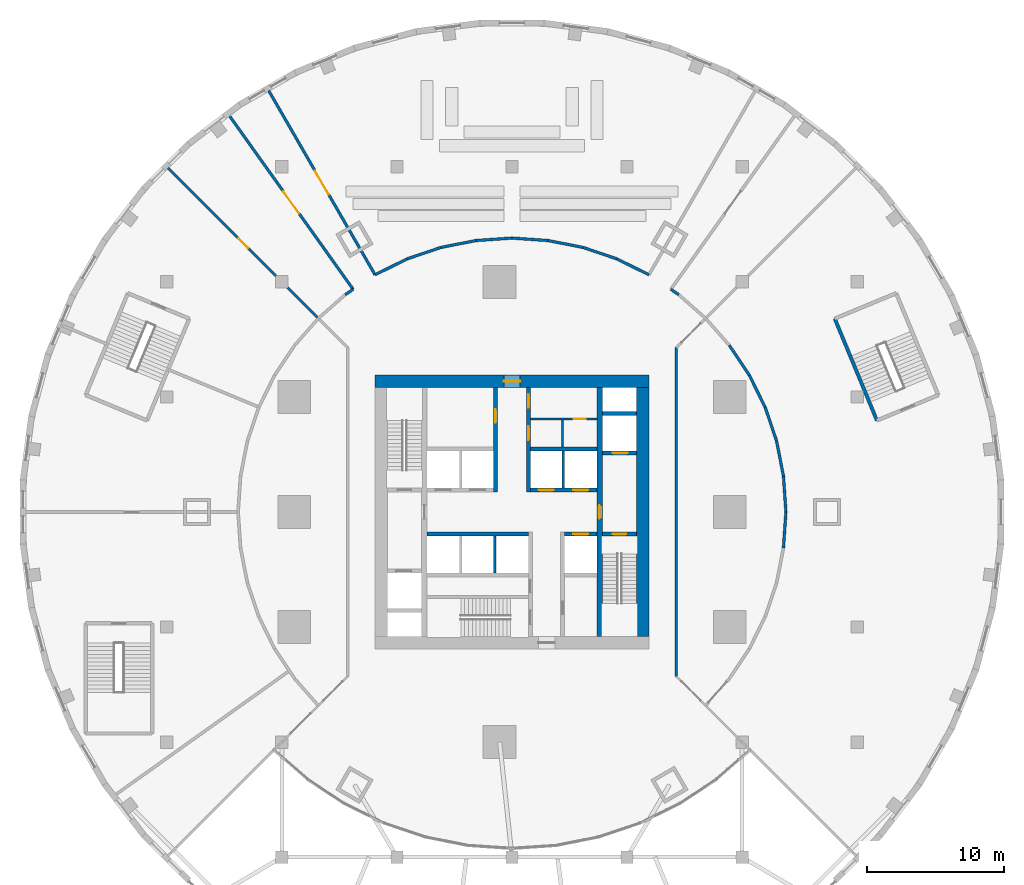
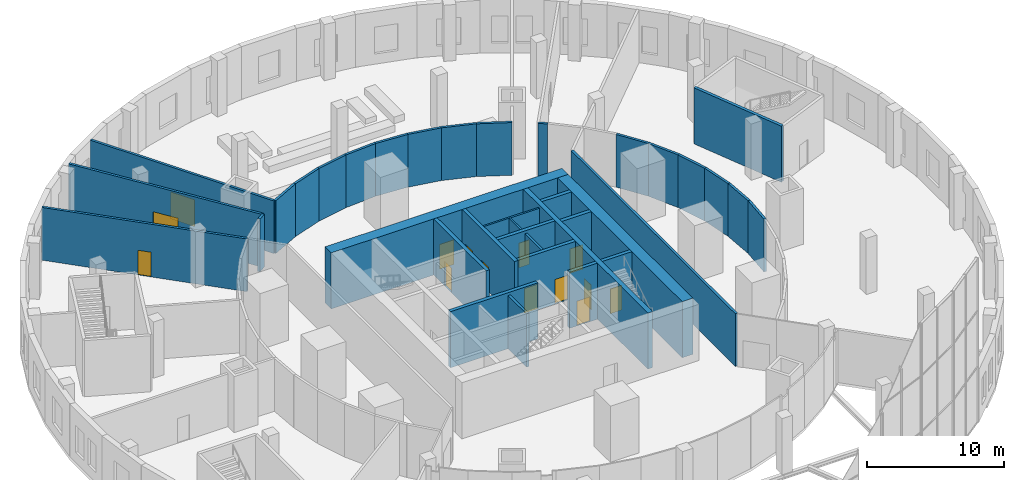
# One storey, part 10 of 17: 37 walls, 14 doors, 14 openings.
"""IFC4 building model written with IfcOpenShell, lengths in metres."""

import ifcopenshell
import ifcopenshell.guid

model = None  # the IFC model being written
_history = None  # IfcOwnerHistory: only IFC2X3 demands one
_inside = {}  # id of a spatial element -> (the spatial element, [elements in it])
_under = {}  # id of a project, library or spatial element -> (it, [spatial elements below it])
_declared = {}  # id of a project -> (the project, [libraries it declares])
_typed = {}  # id of a type object -> (the type object, [elements of that type])
_made_of = {}  # id of a material, layer set ... -> (it, [elements and type objects made of it])


def new_model(schema):
    """Start an empty IFC model of exactly this schema.

    Asked for "IFC4X3", IfcOpenShell would pick the latest addendum, in which some entities
    have other attributes; the version numbers below select the first issue.
    IFC2X3 requires an IfcOwnerHistory on every rooted entity: one is made here for all.
    """
    global model, _history
    if schema == "IFC4X3":
        model = ifcopenshell.file(schema_version=(4, 3, 0, 0))
    else:
        model = ifcopenshell.file(schema=schema)
    _inside.clear()
    _under.clear()
    _declared.clear()
    _typed.clear()
    _made_of.clear()
    _history = None
    if model.schema == "IFC2X3":
        org = make("IfcOrganization", Name="unknown")
        user = make(
            "IfcPersonAndOrganization",
            ThePerson=make("IfcPerson", FamilyName="unknown"),
            TheOrganization=org,
        )
        app = make(
            "IfcApplication",
            ApplicationDeveloper=org,
            Version="unknown",
            ApplicationFullName="unknown",
            ApplicationIdentifier="unknown",
        )
        _history = make(
            "IfcOwnerHistory",
            OwningUser=user,
            OwningApplication=app,
            ChangeAction="ADDED",
            CreationDate=0,
        )
    return model


def make(cls, **values):
    """One entity of the class cls with the attributes given. An attribute that is None is left unset."""
    return model.create_entity(
        cls, **{name: value for name, value in values.items() if value is not None}
    )


def rooted(cls, **values):
    """An entity with a GlobalId (a new one), such as an element, a storey or a relation."""
    return make(cls, GlobalId=ifcopenshell.guid.new(), OwnerHistory=_history, **values)


def si_unit(unit_type, name, prefix=None):
    """IfcSIUnit, for example si_unit("LENGTHUNIT", "METRE", prefix="MILLI")."""
    return make("IfcSIUnit", UnitType=unit_type, Prefix=prefix, Name=name)


def assignment(units):
    """IfcUnitAssignment: the units of a project."""
    return None if units is None else make("IfcUnitAssignment", Units=units)


def point(xyz):
    """IfcCartesianPoint."""
    return None if xyz is None else make("IfcCartesianPoint", Coordinates=xyz)


def direction(xyz):
    """IfcDirection."""
    return None if xyz is None else make("IfcDirection", DirectionRatios=xyz)


def frame(location, z_axis=None, x_axis=None):
    """IfcAxis2Placement3D, a coordinate frame: its origin and axes. An axis left out is left unset."""
    return make(
        "IfcAxis2Placement3D",
        Location=point(location),
        Axis=direction(z_axis),
        RefDirection=direction(x_axis),
    )


def frame_2d(location, x_axis=None):
    """IfcAxis2Placement2D, a coordinate frame in the plane: its origin and x axis."""
    return make(
        "IfcAxis2Placement2D", Location=point(location), RefDirection=direction(x_axis)
    )


def origin():
    """The frame at (0, 0, 0) with its axes left unset."""
    return frame((0.0, 0.0, 0.0))


def place(relative_to, where):
    """IfcLocalPlacement: puts the frame where relative to a parent placement (None: the world)."""
    return make(
        "IfcLocalPlacement", PlacementRelTo=relative_to, RelativePlacement=where
    )


def context(
    kind, dimensions, precision=None, world=None, true_north=None, identifier=None
):
    """IfcGeometricRepresentationContext, for example the 3D "Model" context."""
    return make(
        "IfcGeometricRepresentationContext",
        ContextIdentifier=identifier,
        ContextType=kind,
        CoordinateSpaceDimension=dimensions,
        Precision=precision,
        WorldCoordinateSystem=world,
        TrueNorth=true_north,
    )


def subcontext(parent, identifier, kind, view, scale=None):
    """IfcGeometricRepresentationSubContext, for example "Body" below "Model"."""
    return make(
        "IfcGeometricRepresentationSubContext",
        ContextIdentifier=identifier,
        ContextType=kind,
        ParentContext=parent,
        TargetScale=scale,
        TargetView=view,
    )


def project(units=None, contexts=None):
    """IfcProject with its units and contexts."""
    return rooted(
        "IfcProject",
        Name="project",
        RepresentationContexts=contexts,
        UnitsInContext=assignment(units),
    )


def spatial(cls, under=None, at=None, **own):
    """A site, building, storey or space (cls), placed at a placement, below another one or the project."""
    s = rooted(cls, ObjectPlacement=at, **own)
    if under is not None:
        _under.setdefault(under.id(), (under, []))[1].append(s)
    return s


def profile(cls, at=None, kind="AREA", **sizes):
    """A parametric profile (cls). Its sizes go by their IFC names, for example OverallWidth=200.0."""
    return make(cls, ProfileType=kind, Position=at, **sizes)


def rectangle(**sizes):
    """IfcRectangleProfileDef."""
    return profile("IfcRectangleProfileDef", **sizes)


def extrude(swept, where, along, depth):
    """IfcExtrudedAreaSolid: the profile swept, set in the frame where, extruded along a direction by depth."""
    return make(
        "IfcExtrudedAreaSolid",
        SweptArea=swept,
        Position=where,
        ExtrudedDirection=direction(along),
        Depth=depth,
    )


def shape(context_of_items, identifier, shape_type, items):
    """IfcShapeRepresentation: the items that make up one representation, for example the "Body"."""
    return make(
        "IfcShapeRepresentation",
        ContextOfItems=context_of_items,
        RepresentationIdentifier=identifier,
        RepresentationType=shape_type,
        Items=items,
    )


def material(Name=None, Category=None):
    """IfcMaterial."""
    return make("IfcMaterial", Name=Name, Category=Category)


def layer(
    of_material, thickness, ventilated=None, Name=None, Category=None, Priority=None
):
    """IfcMaterialLayer: one layer of a wall or slab, of a material (None: an air gap)."""
    return make(
        "IfcMaterialLayer",
        Material=of_material,
        LayerThickness=thickness,
        IsVentilated=ventilated,
        Name=Name,
        Category=Category,
        Priority=Priority,
    )


def layer_set(layers, Name=None):
    """IfcMaterialLayerSet."""
    return make("IfcMaterialLayerSet", MaterialLayers=layers, LayerSetName=Name)


def made_of(thing, what):
    """Note that an element or type object is made of a material, layer set ...; save() writes the relation."""
    if what is not None:
        _made_of.setdefault(what.id(), (what, []))[1].append(thing)
    return thing


def type_object(cls, material=None, **own):
    """A type object (cls), such as IfcWallType, which elements share."""
    return made_of(rooted(cls, **own), material)


def element(
    cls,
    number,
    at=None,
    inside=None,
    cuts=None,
    type_object=None,
    material=None,
    context=None,
    identifier="Body",
    shape_type=None,
    held_by="IfcProductDefinitionShape",
    body=None,
    shapes=None,
    **own,
):
    """One element of the class cls, such as IfcWall. Its Tag is "e" and its number.

    at: its placement. inside: the storey or other place that contains it. cuts: it is an
    opening in that element (IfcRelVoidsElement). A single representation is given by context,
    identifier, shape_type and body (its items); several are given by shapes. held_by: the class
    of the entity that holds the representations. save() writes the other relations.
    """
    e = rooted(cls, Tag="e%d" % number, ObjectPlacement=at, **own)
    if body is not None:
        shapes = [shape(context, identifier, shape_type, body)]
    if shapes is not None:
        e.Representation = make(held_by, Representations=shapes)
    if inside is not None:
        _inside.setdefault(inside.id(), (inside, []))[1].append(e)
    if cuts is not None:
        rooted(
            "IfcRelVoidsElement", RelatingBuildingElement=cuts, RelatedOpeningElement=e
        )
    if type_object is not None:
        _typed.setdefault(type_object.id(), (type_object, []))[1].append(e)
    return made_of(e, material)


def fill(opening, filler):
    """IfcRelFillsElement: the door or window that sits in an opening."""
    return rooted(
        "IfcRelFillsElement",
        RelatingOpeningElement=opening,
        RelatedBuildingElement=filler,
    )


def aggregate(whole, parts):
    """IfcRelAggregates: a whole, such as a stair, and the parts it consists of."""
    return rooted("IfcRelAggregates", RelatingObject=whole, RelatedObjects=parts)


def save(model, path):
    """Write the relations noted so far, then the file.

    IfcRelAggregates (storeys below a building ...), IfcRelContainedInSpatialStructure (elements
    in a storey), IfcRelDefinesByType, IfcRelAssociatesMaterial and IfcRelDeclares: one each for
    every whole, place, type object, material and project.
    """
    for whole, parts in _under.values():
        aggregate(whole, parts)
    for where, things in _inside.values():
        rooted(
            "IfcRelContainedInSpatialStructure",
            RelatedElements=things,
            RelatingStructure=where,
        )
    for kind, things in _typed.values():
        rooted("IfcRelDefinesByType", RelatedObjects=things, RelatingType=kind)
    for what, things in _made_of.values():
        rooted("IfcRelAssociatesMaterial", RelatedObjects=things, RelatingMaterial=what)
    for by, libraries in _declared.values():
        rooted("IfcRelDeclares", RelatingContext=by, RelatedDefinitions=libraries)
    model.write(path)


model = new_model("IFC4")

# Units and contexts
model_context = context("Model", 3, precision=1e-05, world=origin(), true_north=direction((0.0, 1.0)))
body_context = subcontext(model_context, "Body", "Model", "MODEL_VIEW")
ifc_project = project(units=[si_unit("LENGTHUNIT", "METRE"), si_unit("AREAUNIT", "SQUARE_METRE"), si_unit("VOLUMEUNIT", "CUBIC_METRE"), si_unit("PLANEANGLEUNIT", "RADIAN"), si_unit("MASSUNIT", "GRAM", prefix="KILO")], contexts=[model_context])

# Site, building, storey
site_placement = place(None, origin())
site = spatial("IfcSite", under=ifc_project, at=site_placement, CompositionType="ELEMENT")
building_placement = place(site_placement, origin())
building = spatial("IfcBuilding", under=site, at=building_placement, Name="Golbaran Civic Tower", CompositionType="ELEMENT")
storey_placement = place(building_placement, frame((0.0, 0.0, 6.0)))
storey = spatial("IfcBuildingStorey", under=building, at=storey_placement, Name="L01", CompositionType="ELEMENT", Elevation=6.0)

# Wall, opening, door
ifc_material_1 = material(Name="Concrete block", Category="concrete")
ifc_layer_1 = layer(ifc_material_1, 0.14990234375, Name="Concrete block")
ifc_layer_set_1 = layer_set([ifc_layer_1], Name="Concrete block")
wall_type_1 = type_object("IfcWallType", Name="BLOCKWORK PARTITION 150", PredefinedType="PARTITIONING", material=ifc_layer_set_1)
wall_1_placement = place(storey_placement, frame((1.35009765625, 6.800048828125, 0.0), z_axis=(0.0, 0.0, 1.0), x_axis=(1.0, 0.0, 0.0)))
wall_1 = element("IfcWall", 1, at=wall_1_placement, inside=storey, type_object=wall_type_1, Name="Toilet block partition TN1 L01", PredefinedType="PARTITIONING", context=body_context, shape_type="SweptSolid", body=[
    extrude(rectangle(XDim=4.849853515625, YDim=0.14990234375, at=frame_2d((2.4248046875, 0.0))), origin(), (0.0, 0.0, 1.0), 4.75),
])
opening_1_placement = place(wall_1_placement, frame((3.14990234375, 0.0, 0.0)))
opening_1 = element("IfcOpeningElement", 2, at=opening_1_placement, cuts=wall_1, Name="Opening L01.CLN", PredefinedType="OPENING", context=body_context, shape_type="SweptSolid", body=[
    extrude(rectangle(XDim=0.89990234375, YDim=2.199951171875, at=frame_2d((0.449951171875, 1.10009765625))), frame((0.0, 0.0849609375, 0.0), z_axis=(0.0, -1.0, 0.0), x_axis=(1.0, 0.0, 0.0)), (0.0, 0.0, 1.0), 0.169921875),
])
ifc_material_2 = material(Name="Timber door set in steel frame", Category="steel")
door_type_1 = type_object("IfcDoorType", Name="RISER DOOR 900x2200", OperationType="SINGLE_SWING_LEFT", PredefinedType="DOOR", material=ifc_material_2)
door_1_placement = place(opening_1_placement, origin())
door_1 = element("IfcDoor", 3, at=door_1_placement, inside=storey, type_object=door_type_1, Name="Cleaner's Store door", OperationType="SINGLE_SWING_RIGHT", OverallHeight=2.199951171875, OverallWidth=0.89990234375, PredefinedType="DOOR", context=body_context, shape_type="SweptSolid", body=[
    extrude(rectangle(XDim=0.89990234375, YDim=2.199951171875, at=frame_2d((0.449951171875, 1.10009765625))), frame((0.0, 0.02490234375, 0.0), z_axis=(0.0, -1.0, 0.0), x_axis=(1.0, 0.0, 0.0)), (0.0, 0.0, 1.0), 0.050048828125),
])
fill(opening_1, door_1)

# Wall
wall_2_placement = place(storey_placement, frame((3.699951171875, 4.75, 0.0), z_axis=(0.0, 0.0, 1.0), x_axis=(0.0, 1.0, 0.0)))
element("IfcWall", 4, at=wall_2_placement, inside=storey, type_object=wall_type_1, Name="Toilet block partition TN2 L01", PredefinedType="PARTITIONING", context=body_context, shape_type="SweptSolid", body=[
    extrude(rectangle(XDim=1.97509765625, YDim=0.14990234375, at=frame_2d((0.987548828125, 0.0))), origin(), (0.0, 0.0, 1.0), 4.75),
])

# Wall, opening, door
ifc_material_3 = material(Name="Concrete C50/60", Category="concrete")
ifc_layer_2 = layer(ifc_material_3, 0.39990234375, Name="Concrete C50/60")
ifc_layer_set_2 = layer_set([ifc_layer_2], Name="Concrete C50/60")
wall_type_2 = type_object("IfcWallType", Name="CORE WALL CONCRETE 400", PredefinedType="SOLIDWALL", material=ifc_layer_set_2)
wall_3_placement = place(storey_placement, frame((6.39990234375, 9.10009765625, 0.0), z_axis=(0.0, 0.0, 1.0), x_axis=(0.0, -1.0, 0.0)))
wall_3 = element("IfcWall", 5, at=wall_3_placement, inside=storey, type_object=wall_type_2, Name="Core wall IE L01", PredefinedType="SOLIDWALL", context=body_context, shape_type="SweptSolid", body=[
    extrude(rectangle(XDim=18.2001953125, YDim=0.39990234375, at=frame_2d((9.10009765625, 0.0))), origin(), (0.0, 0.0, 1.0), 5.0),
])
opening_2_placement = place(wall_3_placement, frame((8.60009765625, 0.0, 0.0)))
opening_2 = element("IfcOpeningElement", 6, at=opening_2_placement, cuts=wall_3, Name="Opening L01.FL2", PredefinedType="OPENING", context=body_context, shape_type="SweptSolid", body=[
    extrude(rectangle(XDim=1.0, YDim=2.199951171875, at=frame_2d((0.5, 1.10009765625))), frame((0.0, 0.2099609375, 0.0), z_axis=(0.0, -1.0, 0.0), x_axis=(1.0, 0.0, 0.0)), (0.0, 0.0, 1.0), 0.419921875),
])
door_type_2 = type_object("IfcDoorType", Name="STAIR DOOR 1000x2200", OperationType="SINGLE_SWING_LEFT", PredefinedType="DOOR", material=ifc_material_2)
door_2_placement = place(opening_2_placement, origin())
door_2 = element("IfcDoor", 7, at=door_2_placement, inside=storey, type_object=door_type_2, Name="Fire-fighting lobby FL2 door", OperationType="SINGLE_SWING_RIGHT", OverallHeight=2.199951171875, OverallWidth=1.0, PredefinedType="DOOR", context=body_context, shape_type="SweptSolid", body=[
    extrude(rectangle(XDim=1.0, YDim=2.199951171875, at=frame_2d((0.5, 1.10009765625))), frame((0.0, 0.02490234375, 0.0), z_axis=(0.0, -1.0, 0.0), x_axis=(1.0, 0.0, 0.0)), (0.0, 0.0, 1.0), 0.050048828125),
])
fill(opening_2, door_2)

ifc_layer_3 = layer(ifc_material_3, 0.89990234375, Name="Concrete C50/60")
ifc_layer_set_3 = layer_set([ifc_layer_3], Name="Concrete C50/60")
wall_type_3 = type_object("IfcWallType", Name="CORE WALL CONCRETE 900", PredefinedType="SOLIDWALL", material=ifc_layer_set_3)
wall_4_placement = place(storey_placement, frame((-10.0, 9.550048828125, 0.0), z_axis=(0.0, 0.0, 1.0), x_axis=(1.0, 0.0, 0.0)))
wall_4 = element("IfcWall", 8, at=wall_4_placement, inside=storey, type_object=wall_type_3, Name="Core wall CN L01", PredefinedType="SOLIDWALL", context=body_context, shape_type="SweptSolid", body=[
    extrude(rectangle(XDim=20.0, YDim=0.89990234375, at=frame_2d((10.0, 0.0))), origin(), (0.0, 0.0, 1.0), 5.0),
])
opening_3_placement = place(wall_4_placement, frame((9.39990234375, 0.0, 0.0)))
opening_3 = element("IfcOpeningElement", 9, at=opening_3_placement, cuts=wall_4, Name="Opening L01.CN", PredefinedType="OPENING", context=body_context, shape_type="SweptSolid", body=[
    extrude(rectangle(XDim=1.199951171875, YDim=2.199951171875, at=frame_2d((0.60009765625, 1.10009765625))), frame((0.0, 0.4599609375, 0.0), z_axis=(0.0, -1.0, 0.0), x_axis=(1.0, 0.0, 0.0)), (0.0, 0.0, 1.0), 0.919921875),
])
door_type_3 = type_object("IfcDoorType", Name="CORE DOOR 1200x2200", OperationType="DOUBLE_DOOR_SINGLE_SWING", PredefinedType="DOOR", material=ifc_material_2)
door_3_placement = place(opening_3_placement, origin())
door_3 = element("IfcDoor", 10, at=door_3_placement, inside=storey, type_object=door_type_3, Name="Core door north", OperationType="DOUBLE_DOOR_SINGLE_SWING", OverallHeight=2.199951171875, OverallWidth=1.199951171875, PredefinedType="DOOR", context=body_context, shape_type="SweptSolid", body=[
    extrude(rectangle(XDim=1.199951171875, YDim=2.199951171875, at=frame_2d((0.60009765625, 1.10009765625))), frame((0.0, 0.02490234375, 0.0), z_axis=(0.0, -1.0, 0.0), x_axis=(1.0, 0.0, 0.0)), (0.0, 0.0, 1.0), 0.050048828125),
])
fill(opening_3, door_3)

# Walls
wall_5_placement = place(storey_placement, frame((9.550048828125, -9.10009765625, 0.0), z_axis=(0.0, 0.0, 1.0), x_axis=(0.0, 1.0, 0.0)))
element("IfcWall", 11, at=wall_5_placement, inside=storey, type_object=wall_type_3, Name="Core wall CE L01", PredefinedType="SOLIDWALL", context=body_context, shape_type="SweptSolid", body=[
    extrude(rectangle(XDim=18.2001953125, YDim=0.89990234375, at=frame_2d((9.10009765625, 0.0))), origin(), (0.0, 0.0, 1.0), 5.0),
])
ifc_layer_4 = layer(ifc_material_1, 0.199951171875, Name="Concrete block")
ifc_layer_set_4 = layer_set([ifc_layer_4], Name="Concrete block")
wall_type_4 = type_object("IfcWallType", Name="LIFT SEPARATOR WALL 200", PredefinedType="SOLIDWALL", material=ifc_layer_set_4)
for number, where, z_axis, x_axis, name in (
    (12, (3.75, 1.75, 0.0), (0.0, 0.0, 1.0), (0.0, 1.0, 0.0), "Core partition SNE L01"),
    (13, (-1.25, -1.75, 0.0), (0.0, 0.0, 1.0), (0.0, -1.0, 0.0), "Core partition SSM L01"),
):
    element("IfcWall", number, at=place(storey_placement, frame(where, z_axis=z_axis, x_axis=x_axis)), inside=storey, type_object=wall_type_4, Name=name, PredefinedType="SOLIDWALL", context=body_context, shape_type="SweptSolid", body=[
        extrude(rectangle(XDim=2.699951171875, YDim=0.199951171875, at=frame_2d((1.35009765625, 0.0))), origin(), (0.0, 0.0, 1.0), 4.75),
    ])

# Wall, opening, door
ifc_material_4 = material(Name="Concrete block, plastered", Category="concrete")
ifc_layer_5 = layer(ifc_material_4, 0.199951171875, Name="Concrete block, plastered")
ifc_layer_set_5 = layer_set([ifc_layer_5], Name="Concrete block, plastered")
wall_type_5 = type_object("IfcWallType", Name="PODIUM PARTITION 200", PredefinedType="PARTITIONING", material=ifc_layer_set_5)
wall_6_placement = place(storey_placement, frame((-25.1201171875, 25.1201171875, 0.0), z_axis=(0.0, 0.0, 1.0), x_axis=(0.707106781187, -0.707106781187, 0.0)))
wall_6 = element("IfcWall", 14, at=wall_6_placement, inside=storey, type_object=wall_type_5, Name="Podium partition L01", PredefinedType="PARTITIONING", context=body_context, shape_type="SweptSolid", body=[
    extrude(rectangle(XDim=15.5283203125, YDim=0.199951171875, at=frame_2d((7.76416015625, 0.0))), origin(), (0.0, 0.0, 1.0), 4.699951171875),
])
opening_4_placement = place(wall_6_placement, frame((7.263916015625, 0.0, 0.0)))
opening_4 = element("IfcOpeningElement", 15, at=opening_4_placement, cuts=wall_6, Name="Opening L01.10", PredefinedType="OPENING", context=body_context, shape_type="SweptSolid", body=[
    extrude(rectangle(XDim=1.0, YDim=2.199951171875, at=frame_2d((0.5, 1.10009765625))), frame((0.0, 0.10986328125, 0.0), z_axis=(0.0, -1.0, 0.0), x_axis=(1.0, 0.0, 0.0)), (0.0, 0.0, 1.0), 0.219970703125),
])
door_type_4 = type_object("IfcDoorType", Name="OFFICE DOOR 1000x2200", OperationType="SINGLE_SWING_LEFT", PredefinedType="DOOR", material=ifc_material_2)
door_4_placement = place(opening_4_placement, origin())
door_4 = element("IfcDoor", 16, at=door_4_placement, inside=storey, type_object=door_type_4, Name="Committee Room door", OperationType="SINGLE_SWING_LEFT", OverallHeight=2.199951171875, OverallWidth=1.0, PredefinedType="DOOR", context=body_context, shape_type="SweptSolid", body=[
    extrude(rectangle(XDim=1.0, YDim=2.199951171875, at=frame_2d((0.5, 1.10009765625))), frame((0.0, 0.02490234375, 0.0), z_axis=(0.0, -1.0, 0.0), x_axis=(1.0, 0.0, 0.0)), (0.0, 0.0, 1.0), 0.050048828125),
])
fill(opening_4, door_4)

wall_7_placement = place(storey_placement, frame((-20.639892578125, 28.93994140625, 0.0), z_axis=(0.0, 0.0, 1.0), x_axis=(0.580502370217, -0.814258557322, 0.0)))
wall_7 = element("IfcWall", 17, at=wall_7_placement, inside=storey, type_object=wall_type_5, Name="Podium partition L01", PredefinedType="PARTITIONING", context=body_context, shape_type="SweptSolid", body=[
    extrude(rectangle(XDim=15.572265625, YDim=0.199951171875, at=frame_2d((7.7861328125, 0.0))), origin(), (0.0, 0.0, 1.0), 4.699951171875),
])
opening_5_placement = place(wall_7_placement, frame((6.786376953125, 0.0, 0.0)))
opening_5 = element("IfcOpeningElement", 18, at=opening_5_placement, cuts=wall_7, Name="Opening L01.01", PredefinedType="OPENING", context=body_context, shape_type="SweptSolid", body=[
    extrude(rectangle(XDim=2.0, YDim=2.39990234375, at=frame_2d((1.0, 1.199951171875))), frame((0.0, 0.10986328125, 0.0), z_axis=(0.0, -1.0, 0.0), x_axis=(1.0, 0.0, 0.0)), (0.0, 0.0, 1.0), 0.219970703125),
])
door_type_5 = type_object("IfcDoorType", Name="PUBLIC DOUBLE DOOR 2000x2400", OperationType="DOUBLE_DOOR_SINGLE_SWING", PredefinedType="DOOR", material=ifc_material_2)
door_5_placement = place(opening_5_placement, origin())
door_5 = element("IfcDoor", 19, at=door_5_placement, inside=storey, type_object=door_type_5, Name="Council Secretariat Office door", OperationType="DOUBLE_DOOR_SINGLE_SWING", OverallHeight=2.39990234375, OverallWidth=2.0, PredefinedType="DOOR", context=body_context, shape_type="SweptSolid", body=[
    extrude(rectangle(XDim=2.0, YDim=2.39990234375, at=frame_2d((1.0, 1.199951171875))), frame((0.0, 0.02490234375, 0.0), z_axis=(0.0, -1.0, 0.0), x_axis=(1.0, 0.0, 0.0)), (0.0, 0.0, 1.0), 0.050048828125),
])
fill(opening_5, door_5)

wall_8_placement = place(storey_placement, frame((-17.760009765625, 30.760009765625, 0.0), z_axis=(0.0, 0.0, 1.0), x_axis=(0.500022035744, -0.866012681068, 0.0)))
wall_8 = element("IfcWall", 20, at=wall_8_placement, inside=storey, type_object=wall_type_5, Name="Podium partition L01", PredefinedType="PARTITIONING", context=body_context, shape_type="SweptSolid", body=[
    extrude(rectangle(XDim=15.519287109375, YDim=0.199951171875, at=frame_2d((7.759765625, 0.0))), origin(), (0.0, 0.0, 1.0), 4.699951171875),
])
opening_6_placement = place(wall_8_placement, frame((6.759765625, 0.0, 0.0)))
opening_6 = element("IfcOpeningElement", 21, at=opening_6_placement, cuts=wall_8, Name="Opening L01.02", PredefinedType="OPENING", context=body_context, shape_type="SweptSolid", body=[
    extrude(rectangle(XDim=2.0, YDim=2.39990234375, at=frame_2d((1.0, 1.199951171875))), frame((0.0, 0.10986328125, 0.0), z_axis=(0.0, -1.0, 0.0), x_axis=(1.0, 0.0, 0.0)), (0.0, 0.0, 1.0), 0.219970703125),
])
door_6_placement = place(opening_6_placement, origin())
door_6 = element("IfcDoor", 22, at=door_6_placement, inside=storey, type_object=door_type_5, Name="Council Chamber door", OperationType="DOUBLE_DOOR_SINGLE_SWING", OverallHeight=2.39990234375, OverallWidth=2.0, PredefinedType="DOOR", context=body_context, shape_type="SweptSolid", body=[
    extrude(rectangle(XDim=2.0, YDim=2.39990234375, at=frame_2d((1.0, 1.199951171875))), frame((0.0, 0.02490234375, 0.0), z_axis=(0.0, -1.0, 0.0), x_axis=(1.0, 0.0, 0.0)), (0.0, 0.0, 1.0), 0.050048828125),
])
fill(opening_6, door_6)

# Walls
wall_9_placement = place(storey_placement, frame((-12.179931640625, 15.860107421875, 0.0), z_axis=(0.0, 0.0, 1.0), x_axis=(0.823201613759, 0.567749155089, 0.0)))
element("IfcWall", 23, at=wall_9_placement, inside=storey, type_object=wall_type_5, Name="Podium partition L01", PredefinedType="PARTITIONING", context=body_context, shape_type="SweptSolid", body=[
    extrude(rectangle(XDim=0.704345703125, YDim=0.199951171875, at=frame_2d((0.35205078125, 0.0))), origin(), (0.0, 0.0, 1.0), 4.699951171875),
])
wall_10_placement = place(storey_placement, frame((-10.0, 17.320068359375, 0.0), z_axis=(0.0, 0.0, 1.0), x_axis=(0.895973519049, 0.444107479291, 0.0)))
element("IfcWall", 24, at=wall_10_placement, inside=storey, type_object=wall_type_5, Name="Podium partition L01", PredefinedType="PARTITIONING", context=body_context, shape_type="SweptSolid", body=[
    extrude(rectangle(XDim=2.61181640625, YDim=0.199951171875, at=frame_2d((1.305908203125, 0.0))), origin(), (0.0, 0.0, 1.0), 4.699951171875),
])
wall_11_placement = place(storey_placement, frame((-7.659912109375, 18.47998046875, 0.0), z_axis=(0.0, 0.0, 1.0), x_axis=(0.947133608203, 0.320839411875, 0.0)))
element("IfcWall", 25, at=wall_11_placement, inside=storey, type_object=wall_type_5, Name="Podium partition L01", PredefinedType="PARTITIONING", context=body_context, shape_type="SweptSolid", body=[
    extrude(rectangle(XDim=2.618408203125, YDim=0.199951171875, at=frame_2d((1.30908203125, 0.0))), origin(), (0.0, 0.0, 1.0), 4.699951171875),
])
wall_12_placement = place(storey_placement, frame((-5.179931640625, 19.320068359375, 0.0), z_axis=(0.0, 0.0, 1.0), x_axis=(0.981452808924, 0.191703896297, 0.0)))
element("IfcWall", 26, at=wall_12_placement, inside=storey, type_object=wall_type_5, Name="Podium partition L01", PredefinedType="PARTITIONING", context=body_context, shape_type="SweptSolid", body=[
    extrude(rectangle(XDim=2.608154296875, YDim=0.199951171875, at=frame_2d((1.30419921875, 0.0))), origin(), (0.0, 0.0, 1.0), 4.699951171875),
])
for number, where, z_axis, x_axis, name in (
    (27, (-2.6201171875, 19.820068359375, 0.0), (0.0, 0.0, 1.0), (0.997650308405, 0.068511766427, 0.0), "Podium partition L01"),
    (28, (0.0, 20.0, 0.0), (0.0, 0.0, 1.0), (0.997650308405, -0.068511766427, 0.0), "Podium partition L01"),
):
    element("IfcWall", number, at=place(storey_placement, frame(where, z_axis=z_axis, x_axis=x_axis)), inside=storey, type_object=wall_type_5, Name=name, PredefinedType="PARTITIONING", context=body_context, shape_type="SweptSolid", body=[
        extrude(rectangle(XDim=2.626220703125, YDim=0.199951171875, at=frame_2d((1.31298828125, 0.0))), origin(), (0.0, 0.0, 1.0), 4.699951171875),
    ])
wall_13_placement = place(storey_placement, frame((2.6201171875, 19.820068359375, 0.0), z_axis=(0.0, 0.0, 1.0), x_axis=(0.981452808924, -0.191703896297, 0.0)))
element("IfcWall", 29, at=wall_13_placement, inside=storey, type_object=wall_type_5, Name="Podium partition L01", PredefinedType="PARTITIONING", context=body_context, shape_type="SweptSolid", body=[
    extrude(rectangle(XDim=2.608154296875, YDim=0.199951171875, at=frame_2d((1.30419921875, 0.0))), origin(), (0.0, 0.0, 1.0), 4.699951171875),
])
wall_14_placement = place(storey_placement, frame((5.179931640625, 19.320068359375, 0.0), z_axis=(0.0, 0.0, 1.0), x_axis=(0.947133608203, -0.320839411875, 0.0)))
element("IfcWall", 30, at=wall_14_placement, inside=storey, type_object=wall_type_5, Name="Podium partition L01", PredefinedType="PARTITIONING", context=body_context, shape_type="SweptSolid", body=[
    extrude(rectangle(XDim=2.618408203125, YDim=0.199951171875, at=frame_2d((1.30908203125, 0.0))), origin(), (0.0, 0.0, 1.0), 4.699951171875),
])
wall_15_placement = place(storey_placement, frame((7.659912109375, 18.47998046875, 0.0), z_axis=(0.0, 0.0, 1.0), x_axis=(0.895973519049, -0.444107479291, 0.0)))
element("IfcWall", 31, at=wall_15_placement, inside=storey, type_object=wall_type_5, Name="Podium partition L01", PredefinedType="PARTITIONING", context=body_context, shape_type="SweptSolid", body=[
    extrude(rectangle(XDim=2.61181640625, YDim=0.199951171875, at=frame_2d((1.305908203125, 0.0))), origin(), (0.0, 0.0, 1.0), 4.699951171875),
])
wall_16_placement = place(storey_placement, frame((11.60009765625, 16.260009765625, 0.0), z_axis=(0.0, 0.0, 1.0), x_axis=(0.823201613759, -0.567749155089, 0.0)))
element("IfcWall", 32, at=wall_16_placement, inside=storey, type_object=wall_type_5, Name="Podium partition L01", PredefinedType="PARTITIONING", context=body_context, shape_type="SweptSolid", body=[
    extrude(rectangle(XDim=0.704345703125, YDim=0.199951171875, at=frame_2d((0.35205078125, 0.0))), origin(), (0.0, 0.0, 1.0), 4.699951171875),
])
wall_17_placement = place(storey_placement, frame((15.860107421875, 12.179931640625, 0.0), z_axis=(0.0, 0.0, 1.0), x_axis=(0.556459812229, -0.83087452565, 0.0)))
element("IfcWall", 33, at=wall_17_placement, inside=storey, type_object=wall_type_5, Name="Podium partition L01", PredefinedType="PARTITIONING", context=body_context, shape_type="SweptSolid", body=[
    extrude(rectangle(XDim=2.623779296875, YDim=0.199951171875, at=frame_2d((1.31201171875, 0.0))), origin(), (0.0, 0.0, 1.0), 4.699951171875),
])
wall_18_placement = place(storey_placement, frame((17.320068359375, 10.0, 0.0), z_axis=(0.0, 0.0, 1.0), x_axis=(0.444107479291, -0.895973519049, 0.0)))
element("IfcWall", 34, at=wall_18_placement, inside=storey, type_object=wall_type_5, Name="Podium partition L01", PredefinedType="PARTITIONING", context=body_context, shape_type="SweptSolid", body=[
    extrude(rectangle(XDim=2.61181640625, YDim=0.199951171875, at=frame_2d((1.305908203125, 0.0))), origin(), (0.0, 0.0, 1.0), 4.699951171875),
])
wall_19_placement = place(storey_placement, frame((18.47998046875, 7.659912109375, 0.0), z_axis=(0.0, 0.0, 1.0), x_axis=(0.320839411875, -0.947133608203, 0.0)))
element("IfcWall", 35, at=wall_19_placement, inside=storey, type_object=wall_type_5, Name="Podium partition L01", PredefinedType="PARTITIONING", context=body_context, shape_type="SweptSolid", body=[
    extrude(rectangle(XDim=2.618408203125, YDim=0.199951171875, at=frame_2d((1.30908203125, 0.0))), origin(), (0.0, 0.0, 1.0), 4.699951171875),
])
wall_20_placement = place(storey_placement, frame((19.320068359375, 5.179931640625, 0.0), z_axis=(0.0, 0.0, 1.0), x_axis=(0.191703896297, -0.981452808924, 0.0)))
element("IfcWall", 36, at=wall_20_placement, inside=storey, type_object=wall_type_5, Name="Podium partition L01", PredefinedType="PARTITIONING", context=body_context, shape_type="SweptSolid", body=[
    extrude(rectangle(XDim=2.608154296875, YDim=0.199951171875, at=frame_2d((1.30419921875, 0.0))), origin(), (0.0, 0.0, 1.0), 4.699951171875),
])
for number, where, z_axis, x_axis, name in (
    (37, (19.820068359375, -2.6201171875, 0.0), (0.0, 0.0, 1.0), (0.068511766427, 0.997650308405, 0.0), "Podium partition L01"),
    (38, (19.820068359375, 2.6201171875, 0.0), (0.0, 0.0, 1.0), (0.068511766427, -0.997650308405, 0.0), "Podium partition L01"),
):
    element("IfcWall", number, at=place(storey_placement, frame(where, z_axis=z_axis, x_axis=x_axis)), inside=storey, type_object=wall_type_5, Name=name, PredefinedType="PARTITIONING", context=body_context, shape_type="SweptSolid", body=[
        extrude(rectangle(XDim=2.626220703125, YDim=0.199951171875, at=frame_2d((1.31298828125, 0.0))), origin(), (0.0, 0.0, 1.0), 4.699951171875),
    ])
wall_21_placement = place(storey_placement, frame((12.0, -12.0, 0.0), z_axis=(0.0, 0.0, 1.0), x_axis=(0.0, 1.0, 0.0)))
element("IfcWall", 39, at=wall_21_placement, inside=storey, type_object=wall_type_5, Name="Podium corridor wall L01", PredefinedType="PARTITIONING", context=body_context, shape_type="SweptSolid", body=[
    extrude(rectangle(XDim=24.0, YDim=0.199951171875, at=frame_2d((12.0, 0.0))), origin(), (0.0, 0.0, 1.0), 4.699951171875),
])

# Wall, openings, doors
ifc_layer_6 = layer(ifc_material_3, 0.300048828125, Name="Concrete C50/60")
ifc_layer_set_6 = layer_set([ifc_layer_6], Name="Concrete C50/60")
wall_type_6 = type_object("IfcWallType", Name="SHAFT WALL CONCRETE 300", PredefinedType="SOLIDWALL", material=ifc_layer_set_6)
wall_22_placement = place(storey_placement, frame((1.35009765625, 1.60009765625, 0.0), z_axis=(0.0, 0.0, 1.0), x_axis=(1.0, 0.0, 0.0)))
wall_22 = element("IfcWall", 40, at=wall_22_placement, inside=storey, type_object=wall_type_6, Name="Core wall FNE L01", PredefinedType="SOLIDWALL", context=body_context, shape_type="SweptSolid", body=[
    extrude(rectangle(XDim=4.849853515625, YDim=0.300048828125, at=frame_2d((2.4248046875, 0.0))), origin(), (0.0, 0.0, 1.0), 5.0),
])
opening_7_placement = place(wall_22_placement, frame((0.60009765625, 0.0, 0.0)))
opening_7 = element("IfcOpeningElement", 41, at=opening_7_placement, cuts=wall_22, Name="Opening L01.LD-Z3L", PredefinedType="OPENING", context=body_context, shape_type="SweptSolid", body=[
    extrude(rectangle(XDim=1.10009765625, YDim=2.199951171875, at=frame_2d((0.550048828125, 1.10009765625))), frame((0.0, 0.159912109375, 0.0), z_axis=(0.0, -1.0, 0.0), x_axis=(1.0, 0.0, 0.0)), (0.0, 0.0, 1.0), 0.320068359375),
])
opening_8_placement = place(wall_22_placement, frame((3.125, 0.0, 0.0)))
opening_8 = element("IfcOpeningElement", 42, at=opening_8_placement, cuts=wall_22, Name="Opening L01.LD-Z4L", PredefinedType="OPENING", context=body_context, shape_type="SweptSolid", body=[
    extrude(rectangle(XDim=1.10009765625, YDim=2.199951171875, at=frame_2d((0.550048828125, 1.10009765625))), frame((0.0, 0.159912109375, 0.0), z_axis=(0.0, -1.0, 0.0), x_axis=(1.0, 0.0, 0.0)), (0.0, 0.0, 1.0), 0.320068359375),
])
ifc_material_5 = material(Name="Stainless steel", Category="steel")
door_type_6 = type_object("IfcDoorType", Name="LIFT LANDING DOOR 1100x2200", OperationType="SLIDING_TO_LEFT", PredefinedType="DOOR", material=ifc_material_5)
door_7_placement = place(opening_7_placement, origin())
door_7 = element("IfcDoor", 43, at=door_7_placement, inside=storey, type_object=door_type_6, Name="Lift landing door Z3L", OperationType="SLIDING_TO_LEFT", OverallHeight=2.199951171875, OverallWidth=1.10009765625, PredefinedType="DOOR", context=body_context, shape_type="SweptSolid", body=[
    extrude(rectangle(XDim=1.10009765625, YDim=2.199951171875, at=frame_2d((0.550048828125, 1.10009765625))), frame((0.0, 0.02490234375, 0.0), z_axis=(0.0, -1.0, 0.0), x_axis=(1.0, 0.0, 0.0)), (0.0, 0.0, 1.0), 0.050048828125),
])
fill(opening_7, door_7)
door_8_placement = place(opening_8_placement, origin())
door_8 = element("IfcDoor", 44, at=door_8_placement, inside=storey, type_object=door_type_6, Name="Lift landing door Z4L", OperationType="SLIDING_TO_LEFT", OverallHeight=2.199951171875, OverallWidth=1.10009765625, PredefinedType="DOOR", context=body_context, shape_type="SweptSolid", body=[
    extrude(rectangle(XDim=1.10009765625, YDim=2.199951171875, at=frame_2d((0.550048828125, 1.10009765625))), frame((0.0, 0.02490234375, 0.0), z_axis=(0.0, -1.0, 0.0), x_axis=(1.0, 0.0, 0.0)), (0.0, 0.0, 1.0), 0.050048828125),
])
fill(opening_8, door_8)

# Wall
wall_23_placement = place(storey_placement, frame((1.35009765625, 4.60009765625, 0.0), z_axis=(0.0, 0.0, 1.0), x_axis=(1.0, 0.0, 0.0)))
element("IfcWall", 45, at=wall_23_placement, inside=storey, type_object=wall_type_6, Name="Core wall BNE L01", PredefinedType="SOLIDWALL", context=body_context, shape_type="SweptSolid", body=[
    extrude(rectangle(XDim=4.849853515625, YDim=0.300048828125, at=frame_2d((2.4248046875, 0.0))), origin(), (0.0, 0.0, 1.0), 5.0),
])

# Wall, opening, door
wall_24_placement = place(storey_placement, frame((-1.199951171875, 1.449951171875, 0.0), z_axis=(0.0, 0.0, 1.0), x_axis=(0.0, 1.0, 0.0)))
wall_24 = element("IfcWall", 46, at=wall_24_placement, inside=storey, type_object=wall_type_6, Name="Core wall PNW L01", PredefinedType="SOLIDWALL", context=body_context, shape_type="SweptSolid", body=[
    extrude(rectangle(XDim=7.650146484375, YDim=0.300048828125, at=frame_2d((3.8251953125, 0.0))), origin(), (0.0, 0.0, 1.0), 5.0),
])
opening_9_placement = place(wall_24_placement, frame((5.050048828125, 0.0, 0.0)))
opening_9 = element("IfcOpeningElement", 47, at=opening_9_placement, cuts=wall_24, Name="Opening L01.WCM", PredefinedType="OPENING", context=body_context, shape_type="SweptSolid", body=[
    extrude(rectangle(XDim=1.0, YDim=2.199951171875, at=frame_2d((0.5, 1.10009765625))), frame((0.0, 0.159912109375, 0.0), z_axis=(0.0, -1.0, 0.0), x_axis=(1.0, 0.0, 0.0)), (0.0, 0.0, 1.0), 0.320068359375),
])
door_type_7 = type_object("IfcDoorType", Name="TOILET DOOR 1000x2200", OperationType="SINGLE_SWING_LEFT", PredefinedType="DOOR", material=ifc_material_2)
door_9_placement = place(opening_9_placement, origin())
door_9 = element("IfcDoor", 48, at=door_9_placement, inside=storey, type_object=door_type_7, Name="North-west toilet block door", OperationType="SINGLE_SWING_RIGHT", OverallHeight=2.199951171875, OverallWidth=1.0, PredefinedType="DOOR", context=body_context, shape_type="SweptSolid", body=[
    extrude(rectangle(XDim=1.0, YDim=2.199951171875, at=frame_2d((0.5, 1.10009765625))), frame((0.0, 0.02490234375, 0.0), z_axis=(0.0, -1.0, 0.0), x_axis=(1.0, 0.0, 0.0)), (0.0, 0.0, 1.0), 0.050048828125),
])
fill(opening_9, door_9)

# Wall, openings, doors
wall_25_placement = place(storey_placement, frame((1.199951171875, 1.449951171875, 0.0), z_axis=(0.0, 0.0, 1.0), x_axis=(0.0, 1.0, 0.0)))
wall_25 = element("IfcWall", 49, at=wall_25_placement, inside=storey, type_object=wall_type_6, Name="Core wall PNE L01", PredefinedType="SOLIDWALL", context=body_context, shape_type="SweptSolid", body=[
    extrude(rectangle(XDim=7.650146484375, YDim=0.300048828125, at=frame_2d((3.8251953125, 0.0))), origin(), (0.0, 0.0, 1.0), 5.0),
])
opening_10_placement = place(wall_25_placement, frame((3.800048828125, 0.0, 0.0)))
opening_10 = element("IfcOpeningElement", 50, at=opening_10_placement, cuts=wall_25, Name="Opening L01.WCA", PredefinedType="OPENING", context=body_context, shape_type="SweptSolid", body=[
    extrude(rectangle(XDim=1.0, YDim=2.199951171875, at=frame_2d((0.5, 1.10009765625))), frame((0.0, 0.159912109375, 0.0), z_axis=(0.0, -1.0, 0.0), x_axis=(1.0, 0.0, 0.0)), (0.0, 0.0, 1.0), 0.320068359375),
])
opening_11_placement = place(wall_25_placement, frame((6.14990234375, 0.0, 0.0)))
opening_11 = element("IfcOpeningElement", 51, at=opening_11_placement, cuts=wall_25, Name="Opening L01.WCF", PredefinedType="OPENING", context=body_context, shape_type="SweptSolid", body=[
    extrude(rectangle(XDim=1.0, YDim=2.199951171875, at=frame_2d((0.5, 1.10009765625))), frame((0.0, 0.159912109375, 0.0), z_axis=(0.0, -1.0, 0.0), x_axis=(1.0, 0.0, 0.0)), (0.0, 0.0, 1.0), 0.320068359375),
])
door_10_placement = place(opening_10_placement, origin())
door_10 = element("IfcDoor", 52, at=door_10_placement, inside=storey, type_object=door_type_7, Name="Accessible WC door", OperationType="SINGLE_SWING_RIGHT", OverallHeight=2.199951171875, OverallWidth=1.0, PredefinedType="DOOR", context=body_context, shape_type="SweptSolid", body=[
    extrude(rectangle(XDim=1.0, YDim=2.199951171875, at=frame_2d((0.5, 1.10009765625))), frame((0.0, 0.02490234375, 0.0), z_axis=(0.0, -1.0, 0.0), x_axis=(1.0, 0.0, 0.0)), (0.0, 0.0, 1.0), 0.050048828125),
])
fill(opening_10, door_10)
door_11_placement = place(opening_11_placement, origin())
door_11 = element("IfcDoor", 53, at=door_11_placement, inside=storey, type_object=door_type_7, Name="North-east toilet block door", OperationType="SINGLE_SWING_RIGHT", OverallHeight=2.199951171875, OverallWidth=1.0, PredefinedType="DOOR", context=body_context, shape_type="SweptSolid", body=[
    extrude(rectangle(XDim=1.0, YDim=2.199951171875, at=frame_2d((0.5, 1.10009765625))), frame((0.0, 0.02490234375, 0.0), z_axis=(0.0, -1.0, 0.0), x_axis=(1.0, 0.0, 0.0)), (0.0, 0.0, 1.0), 0.050048828125),
])
fill(opening_11, door_11)

# Wall
wall_26_placement = place(storey_placement, frame((-6.199951171875, -1.60009765625, 0.0), z_axis=(0.0, 0.0, 1.0), x_axis=(1.0, 0.0, 0.0)))
element("IfcWall", 54, at=wall_26_placement, inside=storey, type_object=wall_type_6, Name="Core wall FSW L01", PredefinedType="SOLIDWALL", context=body_context, shape_type="SweptSolid", body=[
    extrude(rectangle(XDim=7.39990234375, YDim=0.300048828125, at=frame_2d((3.699951171875, 0.0))), origin(), (0.0, 0.0, 1.0), 5.0),
])

# Wall, opening, door
wall_27_placement = place(storey_placement, frame((3.85009765625, -1.60009765625, 0.0), z_axis=(0.0, 0.0, 1.0), x_axis=(1.0, 0.0, 0.0)))
wall_27 = element("IfcWall", 55, at=wall_27_placement, inside=storey, type_object=wall_type_6, Name="Core wall FSE L01", PredefinedType="SOLIDWALL", context=body_context, shape_type="SweptSolid", body=[
    extrude(rectangle(XDim=2.349853515625, YDim=0.300048828125, at=frame_2d((1.1748046875, 0.0))), origin(), (0.0, 0.0, 1.0), 5.0),
])
opening_12_placement = place(wall_27_placement, frame((0.625, 0.0, 0.0)))
opening_12 = element("IfcOpeningElement", 56, at=opening_12_placement, cuts=wall_27, Name="Opening L01.LD-V1", PredefinedType="OPENING", context=body_context, shape_type="SweptSolid", body=[
    extrude(rectangle(XDim=1.10009765625, YDim=2.199951171875, at=frame_2d((0.550048828125, 1.10009765625))), frame((0.0, 0.159912109375, 0.0), z_axis=(0.0, -1.0, 0.0), x_axis=(1.0, 0.0, 0.0)), (0.0, 0.0, 1.0), 0.320068359375),
])
door_12_placement = place(opening_12_placement, origin())
door_12 = element("IfcDoor", 57, at=door_12_placement, inside=storey, type_object=door_type_6, Name="Lift landing door V1", OperationType="SLIDING_TO_LEFT", OverallHeight=2.199951171875, OverallWidth=1.10009765625, PredefinedType="DOOR", context=body_context, shape_type="SweptSolid", body=[
    extrude(rectangle(XDim=1.10009765625, YDim=2.199951171875, at=frame_2d((0.550048828125, 1.10009765625))), frame((0.0, 0.02490234375, 0.0), z_axis=(0.0, -1.0, 0.0), x_axis=(1.0, 0.0, 0.0)), (0.0, 0.0, 1.0), 0.050048828125),
])
fill(opening_12, door_12)

wall_28_placement = place(storey_placement, frame((6.60009765625, -1.60009765625, 0.0), z_axis=(0.0, 0.0, 1.0), x_axis=(1.0, 0.0, 0.0)))
wall_28 = element("IfcWall", 58, at=wall_28_placement, inside=storey, type_object=wall_type_6, Name="Core wall XE1 L01", PredefinedType="SOLIDWALL", context=body_context, shape_type="SweptSolid", body=[
    extrude(rectangle(XDim=2.5, YDim=0.300048828125, at=frame_2d((1.25, 0.0))), origin(), (0.0, 0.0, 1.0), 5.0),
])
opening_13_placement = place(wall_28_placement, frame((0.75, 0.0, 0.0)))
opening_13 = element("IfcOpeningElement", 59, at=opening_13_placement, cuts=wall_28, Name="Opening L01.S2", PredefinedType="OPENING", context=body_context, shape_type="SweptSolid", body=[
    extrude(rectangle(XDim=1.0, YDim=2.199951171875, at=frame_2d((0.5, 1.10009765625))), frame((0.0, 0.159912109375, 0.0), z_axis=(0.0, -1.0, 0.0), x_axis=(1.0, 0.0, 0.0)), (0.0, 0.0, 1.0), 0.320068359375),
])
door_13_placement = place(opening_13_placement, origin())
door_13 = element("IfcDoor", 60, at=door_13_placement, inside=storey, type_object=door_type_2, Name="Stair S2 door", OperationType="SINGLE_SWING_LEFT", OverallHeight=2.199951171875, OverallWidth=1.0, PredefinedType="DOOR", context=body_context, shape_type="SweptSolid", body=[
    extrude(rectangle(XDim=1.0, YDim=2.199951171875, at=frame_2d((0.5, 1.10009765625))), frame((0.0, 0.02490234375, 0.0), z_axis=(0.0, -1.0, 0.0), x_axis=(1.0, 0.0, 0.0)), (0.0, 0.0, 1.0), 0.050048828125),
])
fill(opening_13, door_13)

wall_29_placement = place(storey_placement, frame((6.60009765625, 4.300048828125, 0.0), z_axis=(0.0, 0.0, 1.0), x_axis=(1.0, 0.0, 0.0)))
wall_29 = element("IfcWall", 61, at=wall_29_placement, inside=storey, type_object=wall_type_6, Name="Core wall XE2 L01", PredefinedType="SOLIDWALL", context=body_context, shape_type="SweptSolid", body=[
    extrude(rectangle(XDim=2.5, YDim=0.300048828125, at=frame_2d((1.25, 0.0))), origin(), (0.0, 0.0, 1.0), 5.0),
])
opening_14_placement = place(wall_29_placement, frame((0.75, 0.0, 0.0)))
opening_14 = element("IfcOpeningElement", 62, at=opening_14_placement, cuts=wall_29, Name="Opening L01.LD-F2", PredefinedType="OPENING", context=body_context, shape_type="SweptSolid", body=[
    extrude(rectangle(XDim=1.10009765625, YDim=2.199951171875, at=frame_2d((0.550048828125, 1.10009765625))), frame((0.0, 0.159912109375, 0.0), z_axis=(0.0, -1.0, 0.0), x_axis=(1.0, 0.0, 0.0)), (0.0, 0.0, 1.0), 0.320068359375),
])
door_14_placement = place(opening_14_placement, origin())
door_14 = element("IfcDoor", 63, at=door_14_placement, inside=storey, type_object=door_type_6, Name="Lift landing door F2", OperationType="SLIDING_TO_LEFT", OverallHeight=2.199951171875, OverallWidth=1.10009765625, PredefinedType="DOOR", context=body_context, shape_type="SweptSolid", body=[
    extrude(rectangle(XDim=1.10009765625, YDim=2.199951171875, at=frame_2d((0.550048828125, 1.10009765625))), frame((0.0, 0.02490234375, 0.0), z_axis=(0.0, -1.0, 0.0), x_axis=(1.0, 0.0, 0.0)), (0.0, 0.0, 1.0), 0.050048828125),
])
fill(opening_14, door_14)

# Walls
wall_30_placement = place(storey_placement, frame((6.60009765625, 7.199951171875, 0.0), z_axis=(0.0, 0.0, 1.0), x_axis=(1.0, 0.0, 0.0)))
element("IfcWall", 64, at=wall_30_placement, inside=storey, type_object=wall_type_6, Name="Core wall XE3 L01", PredefinedType="SOLIDWALL", context=body_context, shape_type="SweptSolid", body=[
    extrude(rectangle(XDim=2.5, YDim=0.300048828125, at=frame_2d((1.25, 0.0))), origin(), (0.0, 0.0, 1.0), 5.0),
])
ifc_layer_7 = layer(ifc_material_3, 0.25, Name="Concrete C50/60")
ifc_layer_set_7 = layer_set([ifc_layer_7], Name="Concrete C50/60")
wall_type_7 = type_object("IfcWallType", Name="STAIR ENCLOSURE WALL CONCRETE 250", PredefinedType="SOLIDWALL", material=ifc_layer_set_7)
wall_31_placement = place(storey_placement, frame((26.646728515625, 6.680908203125, 0.0), z_axis=(0.0, 0.0, 1.0), x_axis=(-0.382689294869, 0.923877104161, 0.0)))
element("IfcWall", 65, at=wall_31_placement, inside=storey, type_object=wall_type_7, Name="Stair P1 enclosure B L01", PredefinedType="SOLIDWALL", context=body_context, shape_type="SweptSolid", body=[
    extrude(rectangle(XDim=8.0498046875, YDim=0.25, at=frame_2d((4.02490234375, 0.0))), origin(), (0.0, 0.0, 1.0), 5.0),
])

save(model, "model.ifc")
